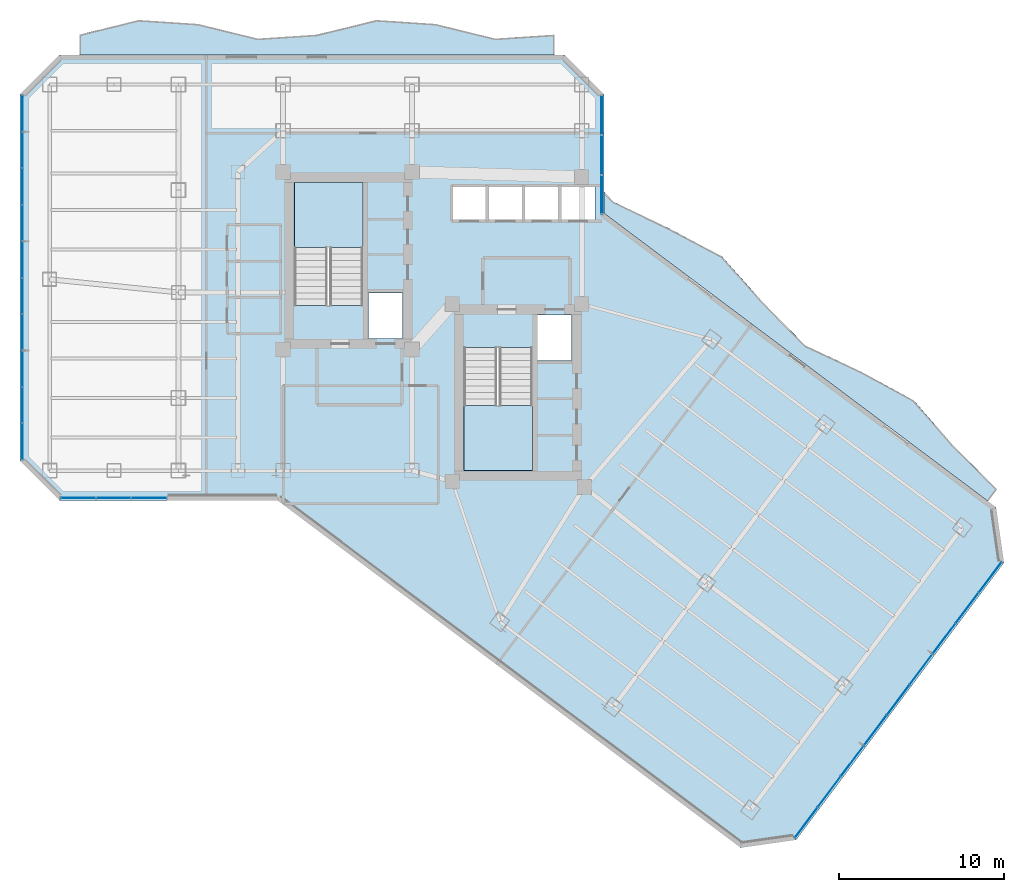
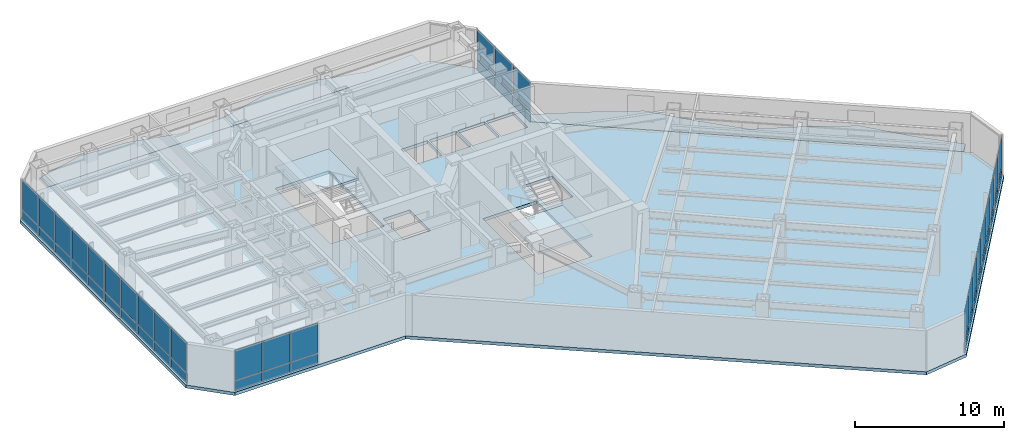
# One storey, part 20 of 29: 50 plates, 5 slabs, 6 elements without a shape of their own.
"""IFC4 building model written with IfcOpenShell, lengths in metres."""

from ifc_helpers import new_model, si_unit, direction, frame, origin, origin_2d, place, context, subcontext, project, spatial, polyline, rectangle, outline, extrude, material, layer, layer_set, type_object, element, aggregate, save


model = new_model("IFC4")

# Units and contexts
model_context = context("Model", 3, precision=1e-05, world=origin(), true_north=direction((0.0, 1.0)))
body_context = subcontext(model_context, "Body", "Model", "MODEL_VIEW")
ifc_project = project(units=[si_unit("LENGTHUNIT", "METRE"), si_unit("AREAUNIT", "SQUARE_METRE"), si_unit("VOLUMEUNIT", "CUBIC_METRE"), si_unit("PLANEANGLEUNIT", "RADIAN"), si_unit("MASSUNIT", "GRAM", prefix="KILO")], contexts=[model_context])

# Site, building, storey
site_placement = place(None, origin())
site = spatial("IfcSite", under=ifc_project, at=site_placement, CompositionType="ELEMENT")
building_placement = place(site_placement, origin())
building = spatial("IfcBuilding", under=site, at=building_placement, Name="Hatsunagi Terrace Concourse", CompositionType="ELEMENT")
storey_placement = place(building_placement, frame((0.0, 0.0, 115.64990234375)))
storey = spatial("IfcBuildingStorey", under=building, at=storey_placement, Name="L30", CompositionType="ELEMENT", Elevation=115.64990234375)

# Curtain wall, plates
ifc_material_1 = material(Name="Anodised Aluminium Alloy 6063-T5", Category="aluminium")
ifc_layer_1 = layer(ifc_material_1, 0.199951171875)
ifc_layer_set_1 = layer_set([ifc_layer_1], Name="OfficeZone1_CW03")
curtain_wall_type = type_object("IfcCurtainWallType", Name="OfficeZone1_CW03", PredefinedType="NOTDEFINED", material=ifc_layer_set_1)
curtain_wall_1_placement = place(storey_placement, origin())
curtain_wall_1 = element("IfcCurtainWall", 1, at=curtain_wall_1_placement, inside=storey, type_object=curtain_wall_type, Name="Unitised Curtain Wall CW-03 CW-L30-03", PredefinedType="NOTDEFINED")
ifc_material_2 = material(Name="Warm Terracotta Ceramic Spandrel Panel", Category="masonry")
ifc_layer_2 = layer(ifc_material_2, 0.031982421875)
ifc_layer_set_2 = layer_set([ifc_layer_2], Name="CurtainWallSpandrelPanel_32")
plate_type_1 = type_object("IfcPlateType", Name="CurtainWallSpandrelPanel_32", PredefinedType="SHEET", material=ifc_layer_set_2)
plate_1_placement = place(storey_placement, frame((68.39697265625, 18.72998046875, 0.030029296875), z_axis=(0.0, 0.0, 1.0), x_axis=(-0.599969314634, -0.800023013105, 0.0)))
plate_1 = element("IfcPlate", 2, at=plate_1_placement, type_object=plate_type_1, Name="Terracotta Spandrel Panel SPN-01", PredefinedType="SHEET", context=body_context, shape_type="SweptSolid", body=[
    extrude(rectangle(XDim=2.264892578125, YDim=0.031982421875, at=origin_2d()), origin(), (0.0, 0.0, 1.0), 0.7900390625),
])
plate_2_placement = place(storey_placement, frame((67.0048828125, 16.873046875, 0.030029296875), z_axis=(0.0, 0.0, 1.0), x_axis=(-0.599969314634, -0.800023013105, 0.0)))
plate_2 = element("IfcPlate", 3, at=plate_2_placement, type_object=plate_type_1, Name="Terracotta Spandrel Panel SPN-01", PredefinedType="SHEET", context=body_context, shape_type="SweptSolid", body=[
    extrude(rectangle(XDim=2.264892578125, YDim=0.031982421875, at=origin_2d()), origin(), (0.0, 0.0, 1.0), 0.7900390625),
])
plate_3_placement = place(storey_placement, frame((65.612060546875, 15.01708984375, 0.030029296875), z_axis=(0.0, 0.0, 1.0), x_axis=(-0.599969314634, -0.800023013105, 0.0)))
plate_3 = element("IfcPlate", 4, at=plate_3_placement, type_object=plate_type_1, Name="Terracotta Spandrel Panel SPN-01", PredefinedType="SHEET", context=body_context, shape_type="SweptSolid", body=[
    extrude(rectangle(XDim=2.264892578125, YDim=0.031982421875, at=origin_2d()), origin(), (0.0, 0.0, 1.0), 0.7900390625),
])
plate_4_placement = place(storey_placement, frame((64.219970703125, 13.159912109375, 0.030029296875), z_axis=(0.0, 0.0, 1.0), x_axis=(-0.599969314634, -0.800023013105, 0.0)))
plate_4 = element("IfcPlate", 5, at=plate_4_placement, type_object=plate_type_1, Name="Terracotta Spandrel Panel SPN-01", PredefinedType="SHEET", context=body_context, shape_type="SweptSolid", body=[
    extrude(rectangle(XDim=2.264892578125, YDim=0.031982421875, at=origin_2d()), origin(), (0.0, 0.0, 1.0), 0.7900390625),
])
plate_5_placement = place(storey_placement, frame((62.827880859375, 11.303955078125, 0.030029296875), z_axis=(0.0, 0.0, 1.0), x_axis=(-0.599969314634, -0.800023013105, 0.0)))
plate_5 = element("IfcPlate", 6, at=plate_5_placement, type_object=plate_type_1, Name="Terracotta Spandrel Panel SPN-01", PredefinedType="SHEET", context=body_context, shape_type="SweptSolid", body=[
    extrude(rectangle(XDim=2.264892578125, YDim=0.031982421875, at=origin_2d()), origin(), (0.0, 0.0, 1.0), 0.7900390625),
])
plate_6_placement = place(storey_placement, frame((61.43603515625, 9.447998046875, 0.030029296875), z_axis=(0.0, 0.0, 1.0), x_axis=(-0.599969314634, -0.800023013105, 0.0)))
plate_6 = element("IfcPlate", 7, at=plate_6_placement, type_object=plate_type_1, Name="Terracotta Spandrel Panel SPN-01", PredefinedType="SHEET", context=body_context, shape_type="SweptSolid", body=[
    extrude(rectangle(XDim=2.264892578125, YDim=0.031982421875, at=origin_2d()), origin(), (0.0, 0.0, 1.0), 0.7900390625),
])
plate_7_placement = place(storey_placement, frame((60.0439453125, 7.591064453125, 0.030029296875), z_axis=(0.0, 0.0, 1.0), x_axis=(-0.599969314634, -0.800023013105, 0.0)))
plate_7 = element("IfcPlate", 8, at=plate_7_placement, type_object=plate_type_1, Name="Terracotta Spandrel Panel SPN-01", PredefinedType="SHEET", context=body_context, shape_type="SweptSolid", body=[
    extrude(rectangle(XDim=2.264892578125, YDim=0.031982421875, at=origin_2d()), origin(), (0.0, 0.0, 1.0), 0.7900390625),
])
plate_8_placement = place(storey_placement, frame((58.65087890625, 5.735107421875, 0.030029296875), z_axis=(0.0, 0.0, 1.0), x_axis=(-0.599969314634, -0.800023013105, 0.0)))
plate_8 = element("IfcPlate", 9, at=plate_8_placement, type_object=plate_type_1, Name="Terracotta Spandrel Panel SPN-01", PredefinedType="SHEET", context=body_context, shape_type="SweptSolid", body=[
    extrude(rectangle(XDim=2.264892578125, YDim=0.031982421875, at=origin_2d()), origin(), (0.0, 0.0, 1.0), 0.7900390625),
])
plate_9_placement = place(storey_placement, frame((57.259033203125, 3.8779296875, 0.030029296875), z_axis=(0.0, 0.0, 1.0), x_axis=(-0.599969314634, -0.800023013105, 0.0)))
plate_9 = element("IfcPlate", 10, at=plate_9_placement, type_object=plate_type_1, Name="Terracotta Spandrel Panel SPN-01", PredefinedType="SHEET", context=body_context, shape_type="SweptSolid", body=[
    extrude(rectangle(XDim=2.264892578125, YDim=0.031982421875, at=origin_2d()), origin(), (0.0, 0.0, 1.0), 0.7900390625),
])

curtain_wall_2_placement = place(storey_placement, origin())
curtain_wall_2 = element("IfcCurtainWall", 11, at=curtain_wall_2_placement, inside=storey, type_object=curtain_wall_type, Name="Unitised Curtain Wall CW-03 CW-L30-07", PredefinedType="NOTDEFINED")
plate_10_placement = place(storey_placement, frame((17.426025390625, 23.5400390625, 0.030029296875), z_axis=(0.0, 0.0, 1.0), x_axis=(-1.0, 0.0, 0.0)))
plate_10 = element("IfcPlate", 12, at=plate_10_placement, type_object=plate_type_1, Name="Terracotta Spandrel Panel SPN-01", PredefinedType="SHEET", context=body_context, shape_type="SweptSolid", body=[
    extrude(rectangle(XDim=2.092041015625, YDim=0.031982421875, at=origin_2d()), origin(), (0.0, 0.0, 1.0), 0.7900390625),
])
plate_11_placement = place(storey_placement, frame((15.279052734375, 23.5400390625, 0.030029296875), z_axis=(0.0, 0.0, 1.0), x_axis=(-1.0, 0.0, 0.0)))
plate_11 = element("IfcPlate", 13, at=plate_11_placement, type_object=plate_type_1, Name="Terracotta Spandrel Panel SPN-01", PredefinedType="SHEET", context=body_context, shape_type="SweptSolid", body=[
    extrude(rectangle(XDim=2.092041015625, YDim=0.031982421875, at=origin_2d()), origin(), (0.0, 0.0, 1.0), 0.7900390625),
])
plate_12_placement = place(storey_placement, frame((13.132080078125, 23.5400390625, 0.030029296875), z_axis=(0.0, 0.0, 1.0), x_axis=(-1.0, 0.0, 0.0)))
plate_12 = element("IfcPlate", 14, at=plate_12_placement, type_object=plate_type_1, Name="Terracotta Spandrel Panel SPN-01", PredefinedType="SHEET", context=body_context, shape_type="SweptSolid", body=[
    extrude(rectangle(XDim=2.092041015625, YDim=0.031982421875, at=origin_2d()), origin(), (0.0, 0.0, 1.0), 0.7900390625),
])

curtain_wall_3_placement = place(storey_placement, origin())
curtain_wall_3 = element("IfcCurtainWall", 15, at=curtain_wall_3_placement, inside=storey, type_object=curtain_wall_type, Name="Unitised Curtain Wall CW-03 CW-L30-09", PredefinedType="NOTDEFINED")
plate_13_placement = place(storey_placement, frame((9.739990234375, 26.9619140625, 0.030029296875), z_axis=(0.0, 0.0, 1.0), x_axis=(0.0, 1.0, 0.0)))
plate_13 = element("IfcPlate", 16, at=plate_13_placement, type_object=plate_type_1, Name="Terracotta Spandrel Panel SPN-01", PredefinedType="SHEET", context=body_context, shape_type="SweptSolid", body=[
    extrude(rectangle(XDim=2.153076171875, YDim=0.031982421875, at=origin_2d()), origin(), (0.0, 0.0, 1.0), 0.7900390625),
])
plate_14_placement = place(storey_placement, frame((9.739990234375, 29.1708984375, 0.030029296875), z_axis=(0.0, 0.0, 1.0), x_axis=(0.0, 1.0, 0.0)))
plate_14 = element("IfcPlate", 17, at=plate_14_placement, type_object=plate_type_1, Name="Terracotta Spandrel Panel SPN-01", PredefinedType="SHEET", context=body_context, shape_type="SweptSolid", body=[
    extrude(rectangle(XDim=2.153076171875, YDim=0.031982421875, at=origin_2d()), origin(), (0.0, 0.0, 1.0), 0.7900390625),
])
plate_15_placement = place(storey_placement, frame((9.739990234375, 31.37890625, 0.030029296875), z_axis=(0.0, 0.0, 1.0), x_axis=(0.0, 1.0, 0.0)))
plate_15 = element("IfcPlate", 18, at=plate_15_placement, type_object=plate_type_1, Name="Terracotta Spandrel Panel SPN-01", PredefinedType="SHEET", context=body_context, shape_type="SweptSolid", body=[
    extrude(rectangle(XDim=2.153076171875, YDim=0.031982421875, at=origin_2d()), origin(), (0.0, 0.0, 1.0), 0.7900390625),
])
plate_16_placement = place(storey_placement, frame((9.739990234375, 33.5869140625, 0.030029296875), z_axis=(0.0, 0.0, 1.0), x_axis=(0.0, 1.0, 0.0)))
plate_16 = element("IfcPlate", 19, at=plate_16_placement, type_object=plate_type_1, Name="Terracotta Spandrel Panel SPN-01", PredefinedType="SHEET", context=body_context, shape_type="SweptSolid", body=[
    extrude(rectangle(XDim=2.153076171875, YDim=0.031982421875, at=origin_2d()), origin(), (0.0, 0.0, 1.0), 0.7900390625),
])
plate_17_placement = place(storey_placement, frame((9.739990234375, 35.7958984375, 0.030029296875), z_axis=(0.0, 0.0, 1.0), x_axis=(0.0, 1.0, 0.0)))
plate_17 = element("IfcPlate", 20, at=plate_17_placement, type_object=plate_type_1, Name="Terracotta Spandrel Panel SPN-01", PredefinedType="SHEET", context=body_context, shape_type="SweptSolid", body=[
    extrude(rectangle(XDim=2.153076171875, YDim=0.031982421875, at=origin_2d()), origin(), (0.0, 0.0, 1.0), 0.7900390625),
])
plate_18_placement = place(storey_placement, frame((9.739990234375, 38.00390625, 0.030029296875), z_axis=(0.0, 0.0, 1.0), x_axis=(0.0, 1.0, 0.0)))
plate_18 = element("IfcPlate", 21, at=plate_18_placement, type_object=plate_type_1, Name="Terracotta Spandrel Panel SPN-01", PredefinedType="SHEET", context=body_context, shape_type="SweptSolid", body=[
    extrude(rectangle(XDim=2.153076171875, YDim=0.031982421875, at=origin_2d()), origin(), (0.0, 0.0, 1.0), 0.7900390625),
])
plate_19_placement = place(storey_placement, frame((9.739990234375, 40.212890625, 0.030029296875), z_axis=(0.0, 0.0, 1.0), x_axis=(0.0, 1.0, 0.0)))
plate_19 = element("IfcPlate", 22, at=plate_19_placement, type_object=plate_type_1, Name="Terracotta Spandrel Panel SPN-01", PredefinedType="SHEET", context=body_context, shape_type="SweptSolid", body=[
    extrude(rectangle(XDim=2.153076171875, YDim=0.031982421875, at=origin_2d()), origin(), (0.0, 0.0, 1.0), 0.7900390625),
])
plate_20_placement = place(storey_placement, frame((9.739990234375, 42.4208984375, 0.030029296875), z_axis=(0.0, 0.0, 1.0), x_axis=(0.0, 1.0, 0.0)))
plate_20 = element("IfcPlate", 23, at=plate_20_placement, type_object=plate_type_1, Name="Terracotta Spandrel Panel SPN-01", PredefinedType="SHEET", context=body_context, shape_type="SweptSolid", body=[
    extrude(rectangle(XDim=2.153076171875, YDim=0.031982421875, at=origin_2d()), origin(), (0.0, 0.0, 1.0), 0.7900390625),
])
plate_21_placement = place(storey_placement, frame((9.739990234375, 44.62890625, 0.030029296875), z_axis=(0.0, 0.0, 1.0), x_axis=(0.0, 1.0, 0.0)))
plate_21 = element("IfcPlate", 24, at=plate_21_placement, type_object=plate_type_1, Name="Terracotta Spandrel Panel SPN-01", PredefinedType="SHEET", context=body_context, shape_type="SweptSolid", body=[
    extrude(rectangle(XDim=2.153076171875, YDim=0.031982421875, at=origin_2d()), origin(), (0.0, 0.0, 1.0), 0.7900390625),
])
plate_22_placement = place(storey_placement, frame((9.739990234375, 46.837890625, 0.030029296875), z_axis=(0.0, 0.0, 1.0), x_axis=(0.0, 1.0, 0.0)))
plate_22 = element("IfcPlate", 25, at=plate_22_placement, type_object=plate_type_1, Name="Terracotta Spandrel Panel SPN-01", PredefinedType="SHEET", context=body_context, shape_type="SweptSolid", body=[
    extrude(rectangle(XDim=2.153076171875, YDim=0.031982421875, at=origin_2d()), origin(), (0.0, 0.0, 1.0), 0.7900390625),
])

curtain_wall_4_placement = place(storey_placement, origin())
curtain_wall_4 = element("IfcCurtainWall", 26, at=curtain_wall_4_placement, inside=storey, type_object=curtain_wall_type, Name="Unitised Curtain Wall CW-03 CW-L30-13", PredefinedType="NOTDEFINED")
plate_23_placement = place(storey_placement, frame((44.860107421875, 46.739990234375, 0.030029296875), z_axis=(0.0, 0.0, 1.0), x_axis=(0.0, -1.0, 0.0)))
plate_23 = element("IfcPlate", 27, at=plate_23_placement, type_object=plate_type_1, Name="Terracotta Spandrel Panel SPN-01", PredefinedType="SHEET", context=body_context, shape_type="SweptSolid", body=[
    extrude(rectangle(XDim=2.34912109375, YDim=0.031982421875, at=origin_2d()), origin(), (0.0, 0.0, 1.0), 0.7900390625),
])
plate_24_placement = place(storey_placement, frame((44.860107421875, 44.3359375, 0.030029296875), z_axis=(0.0, 0.0, 1.0), x_axis=(0.0, -1.0, 0.0)))
plate_24 = element("IfcPlate", 28, at=plate_24_placement, type_object=plate_type_1, Name="Terracotta Spandrel Panel SPN-01", PredefinedType="SHEET", context=body_context, shape_type="SweptSolid", body=[
    extrude(rectangle(XDim=2.34912109375, YDim=0.031982421875, at=origin_2d()), origin(), (0.0, 0.0, 1.0), 0.7900390625),
])
plate_25_placement = place(storey_placement, frame((44.860107421875, 41.931884765625, 0.030029296875), z_axis=(0.0, 0.0, 1.0), x_axis=(0.0, -1.0, 0.0)))
plate_25 = element("IfcPlate", 29, at=plate_25_placement, type_object=plate_type_1, Name="Terracotta Spandrel Panel SPN-01", PredefinedType="SHEET", context=body_context, shape_type="SweptSolid", body=[
    extrude(rectangle(XDim=2.34912109375, YDim=0.031982421875, at=origin_2d()), origin(), (0.0, 0.0, 1.0), 0.7900390625),
])

# Plate
ifc_material_3 = material(Name="Low-E Double Insulating Glass 28mm", Category="glass")
ifc_layer_3 = layer(ifc_material_3, 0.028076171875)
ifc_layer_set_3 = layer_set([ifc_layer_3], Name="CurtainWallVisionGlass_28")
plate_type_2 = type_object("IfcPlateType", Name="CurtainWallVisionGlass_28", PredefinedType="CURTAIN_PANEL", material=ifc_layer_set_3)
plate_26_placement = place(storey_placement, frame((68.39697265625, 18.72998046875, 0.880126953125), z_axis=(0.0, 0.0, 1.0), x_axis=(-0.599969314634, -0.800023013105, 0.0)))
plate_26 = element("IfcPlate", 30, at=plate_26_placement, type_object=plate_type_2, Name="Low-E Vision Glass Panel GLZ-01", PredefinedType="CURTAIN_PANEL", context=body_context, shape_type="SweptSolid", body=[
    extrude(rectangle(XDim=2.264892578125, YDim=0.028076171875, at=origin_2d()), origin(), (0.0, 0.0, 1.0), 2.43994140625),
])

plate_27_placement = place(storey_placement, frame((67.0048828125, 16.873046875, 0.880126953125), z_axis=(0.0, 0.0, 1.0), x_axis=(-0.599969314634, -0.800023013105, 0.0)))
plate_27 = element("IfcPlate", 31, at=plate_27_placement, type_object=plate_type_2, Name="Low-E Vision Glass Panel GLZ-01", PredefinedType="CURTAIN_PANEL", context=body_context, shape_type="SweptSolid", body=[
    extrude(rectangle(XDim=2.264892578125, YDim=0.028076171875, at=origin_2d()), origin(), (0.0, 0.0, 1.0), 2.43994140625),
])

plate_28_placement = place(storey_placement, frame((65.612060546875, 15.01708984375, 0.880126953125), z_axis=(0.0, 0.0, 1.0), x_axis=(-0.599969314634, -0.800023013105, 0.0)))
plate_28 = element("IfcPlate", 32, at=plate_28_placement, type_object=plate_type_2, Name="Low-E Vision Glass Panel GLZ-01", PredefinedType="CURTAIN_PANEL", context=body_context, shape_type="SweptSolid", body=[
    extrude(rectangle(XDim=2.264892578125, YDim=0.028076171875, at=origin_2d()), origin(), (0.0, 0.0, 1.0), 2.43994140625),
])

plate_29_placement = place(storey_placement, frame((64.219970703125, 13.159912109375, 0.880126953125), z_axis=(0.0, 0.0, 1.0), x_axis=(-0.599969314634, -0.800023013105, 0.0)))
plate_29 = element("IfcPlate", 33, at=plate_29_placement, type_object=plate_type_2, Name="Low-E Vision Glass Panel GLZ-01", PredefinedType="CURTAIN_PANEL", context=body_context, shape_type="SweptSolid", body=[
    extrude(rectangle(XDim=2.264892578125, YDim=0.028076171875, at=origin_2d()), origin(), (0.0, 0.0, 1.0), 2.43994140625),
])

plate_30_placement = place(storey_placement, frame((62.827880859375, 11.303955078125, 0.880126953125), z_axis=(0.0, 0.0, 1.0), x_axis=(-0.599969314634, -0.800023013105, 0.0)))
plate_30 = element("IfcPlate", 34, at=plate_30_placement, type_object=plate_type_2, Name="Low-E Vision Glass Panel GLZ-01", PredefinedType="CURTAIN_PANEL", context=body_context, shape_type="SweptSolid", body=[
    extrude(rectangle(XDim=2.264892578125, YDim=0.028076171875, at=origin_2d()), origin(), (0.0, 0.0, 1.0), 2.43994140625),
])

plate_31_placement = place(storey_placement, frame((61.43603515625, 9.447998046875, 0.880126953125), z_axis=(0.0, 0.0, 1.0), x_axis=(-0.599969314634, -0.800023013105, 0.0)))
plate_31 = element("IfcPlate", 35, at=plate_31_placement, type_object=plate_type_2, Name="Low-E Vision Glass Panel GLZ-01", PredefinedType="CURTAIN_PANEL", context=body_context, shape_type="SweptSolid", body=[
    extrude(rectangle(XDim=2.264892578125, YDim=0.028076171875, at=origin_2d()), origin(), (0.0, 0.0, 1.0), 2.43994140625),
])

plate_32_placement = place(storey_placement, frame((60.0439453125, 7.591064453125, 0.880126953125), z_axis=(0.0, 0.0, 1.0), x_axis=(-0.599969314634, -0.800023013105, 0.0)))
plate_32 = element("IfcPlate", 36, at=plate_32_placement, type_object=plate_type_2, Name="Low-E Vision Glass Panel GLZ-01", PredefinedType="CURTAIN_PANEL", context=body_context, shape_type="SweptSolid", body=[
    extrude(rectangle(XDim=2.264892578125, YDim=0.028076171875, at=origin_2d()), origin(), (0.0, 0.0, 1.0), 2.43994140625),
])

plate_33_placement = place(storey_placement, frame((58.65087890625, 5.735107421875, 0.880126953125), z_axis=(0.0, 0.0, 1.0), x_axis=(-0.599969314634, -0.800023013105, 0.0)))
plate_33 = element("IfcPlate", 37, at=plate_33_placement, type_object=plate_type_2, Name="Low-E Vision Glass Panel GLZ-01", PredefinedType="CURTAIN_PANEL", context=body_context, shape_type="SweptSolid", body=[
    extrude(rectangle(XDim=2.264892578125, YDim=0.028076171875, at=origin_2d()), origin(), (0.0, 0.0, 1.0), 2.43994140625),
])

plate_34_placement = place(storey_placement, frame((57.259033203125, 3.8779296875, 0.880126953125), z_axis=(0.0, 0.0, 1.0), x_axis=(-0.599969314634, -0.800023013105, 0.0)))
plate_34 = element("IfcPlate", 38, at=plate_34_placement, type_object=plate_type_2, Name="Low-E Vision Glass Panel GLZ-01", PredefinedType="CURTAIN_PANEL", context=body_context, shape_type="SweptSolid", body=[
    extrude(rectangle(XDim=2.264892578125, YDim=0.028076171875, at=origin_2d()), origin(), (0.0, 0.0, 1.0), 2.43994140625),
])

aggregate(curtain_wall_1, [plate_1, plate_26, plate_2, plate_27, plate_3, plate_28, plate_4, plate_29, plate_5, plate_30, plate_6, plate_31, plate_7, plate_32, plate_8, plate_33, plate_9, plate_34])

plate_35_placement = place(storey_placement, frame((17.426025390625, 23.5400390625, 0.880126953125), z_axis=(0.0, 0.0, 1.0), x_axis=(-1.0, 0.0, 0.0)))
plate_35 = element("IfcPlate", 39, at=plate_35_placement, type_object=plate_type_2, Name="Low-E Vision Glass Panel GLZ-01", PredefinedType="CURTAIN_PANEL", context=body_context, shape_type="SweptSolid", body=[
    extrude(rectangle(XDim=2.092041015625, YDim=0.028076171875, at=origin_2d()), origin(), (0.0, 0.0, 1.0), 2.43994140625),
])

plate_36_placement = place(storey_placement, frame((15.279052734375, 23.5400390625, 0.880126953125), z_axis=(0.0, 0.0, 1.0), x_axis=(-1.0, 0.0, 0.0)))
plate_36 = element("IfcPlate", 40, at=plate_36_placement, type_object=plate_type_2, Name="Low-E Vision Glass Panel GLZ-01", PredefinedType="CURTAIN_PANEL", context=body_context, shape_type="SweptSolid", body=[
    extrude(rectangle(XDim=2.092041015625, YDim=0.028076171875, at=origin_2d()), origin(), (0.0, 0.0, 1.0), 2.43994140625),
])

plate_37_placement = place(storey_placement, frame((13.132080078125, 23.5400390625, 0.880126953125), z_axis=(0.0, 0.0, 1.0), x_axis=(-1.0, 0.0, 0.0)))
plate_37 = element("IfcPlate", 41, at=plate_37_placement, type_object=plate_type_2, Name="Low-E Vision Glass Panel GLZ-01", PredefinedType="CURTAIN_PANEL", context=body_context, shape_type="SweptSolid", body=[
    extrude(rectangle(XDim=2.092041015625, YDim=0.028076171875, at=origin_2d()), origin(), (0.0, 0.0, 1.0), 2.43994140625),
])

aggregate(curtain_wall_2, [plate_10, plate_35, plate_11, plate_36, plate_12, plate_37])

plate_38_placement = place(storey_placement, frame((9.739990234375, 26.9619140625, 0.880126953125), z_axis=(0.0, 0.0, 1.0), x_axis=(0.0, 1.0, 0.0)))
plate_38 = element("IfcPlate", 42, at=plate_38_placement, type_object=plate_type_2, Name="Low-E Vision Glass Panel GLZ-01", PredefinedType="CURTAIN_PANEL", context=body_context, shape_type="SweptSolid", body=[
    extrude(rectangle(XDim=2.153076171875, YDim=0.028076171875, at=origin_2d()), origin(), (0.0, 0.0, 1.0), 2.43994140625),
])

plate_39_placement = place(storey_placement, frame((9.739990234375, 29.1708984375, 0.880126953125), z_axis=(0.0, 0.0, 1.0), x_axis=(0.0, 1.0, 0.0)))
plate_39 = element("IfcPlate", 43, at=plate_39_placement, type_object=plate_type_2, Name="Low-E Vision Glass Panel GLZ-01", PredefinedType="CURTAIN_PANEL", context=body_context, shape_type="SweptSolid", body=[
    extrude(rectangle(XDim=2.153076171875, YDim=0.028076171875, at=origin_2d()), origin(), (0.0, 0.0, 1.0), 2.43994140625),
])

plate_40_placement = place(storey_placement, frame((9.739990234375, 31.37890625, 0.880126953125), z_axis=(0.0, 0.0, 1.0), x_axis=(0.0, 1.0, 0.0)))
plate_40 = element("IfcPlate", 44, at=plate_40_placement, type_object=plate_type_2, Name="Low-E Vision Glass Panel GLZ-01", PredefinedType="CURTAIN_PANEL", context=body_context, shape_type="SweptSolid", body=[
    extrude(rectangle(XDim=2.153076171875, YDim=0.028076171875, at=origin_2d()), origin(), (0.0, 0.0, 1.0), 2.43994140625),
])

plate_41_placement = place(storey_placement, frame((9.739990234375, 33.5869140625, 0.880126953125), z_axis=(0.0, 0.0, 1.0), x_axis=(0.0, 1.0, 0.0)))
plate_41 = element("IfcPlate", 45, at=plate_41_placement, type_object=plate_type_2, Name="Low-E Vision Glass Panel GLZ-01", PredefinedType="CURTAIN_PANEL", context=body_context, shape_type="SweptSolid", body=[
    extrude(rectangle(XDim=2.153076171875, YDim=0.028076171875, at=origin_2d()), origin(), (0.0, 0.0, 1.0), 2.43994140625),
])

plate_42_placement = place(storey_placement, frame((9.739990234375, 35.7958984375, 0.880126953125), z_axis=(0.0, 0.0, 1.0), x_axis=(0.0, 1.0, 0.0)))
plate_42 = element("IfcPlate", 46, at=plate_42_placement, type_object=plate_type_2, Name="Low-E Vision Glass Panel GLZ-01", PredefinedType="CURTAIN_PANEL", context=body_context, shape_type="SweptSolid", body=[
    extrude(rectangle(XDim=2.153076171875, YDim=0.028076171875, at=origin_2d()), origin(), (0.0, 0.0, 1.0), 2.43994140625),
])

plate_43_placement = place(storey_placement, frame((9.739990234375, 38.00390625, 0.880126953125), z_axis=(0.0, 0.0, 1.0), x_axis=(0.0, 1.0, 0.0)))
plate_43 = element("IfcPlate", 47, at=plate_43_placement, type_object=plate_type_2, Name="Low-E Vision Glass Panel GLZ-01", PredefinedType="CURTAIN_PANEL", context=body_context, shape_type="SweptSolid", body=[
    extrude(rectangle(XDim=2.153076171875, YDim=0.028076171875, at=origin_2d()), origin(), (0.0, 0.0, 1.0), 2.43994140625),
])

plate_44_placement = place(storey_placement, frame((9.739990234375, 40.212890625, 0.880126953125), z_axis=(0.0, 0.0, 1.0), x_axis=(0.0, 1.0, 0.0)))
plate_44 = element("IfcPlate", 48, at=plate_44_placement, type_object=plate_type_2, Name="Low-E Vision Glass Panel GLZ-01", PredefinedType="CURTAIN_PANEL", context=body_context, shape_type="SweptSolid", body=[
    extrude(rectangle(XDim=2.153076171875, YDim=0.028076171875, at=origin_2d()), origin(), (0.0, 0.0, 1.0), 2.43994140625),
])

plate_45_placement = place(storey_placement, frame((9.739990234375, 42.4208984375, 0.880126953125), z_axis=(0.0, 0.0, 1.0), x_axis=(0.0, 1.0, 0.0)))
plate_45 = element("IfcPlate", 49, at=plate_45_placement, type_object=plate_type_2, Name="Low-E Vision Glass Panel GLZ-01", PredefinedType="CURTAIN_PANEL", context=body_context, shape_type="SweptSolid", body=[
    extrude(rectangle(XDim=2.153076171875, YDim=0.028076171875, at=origin_2d()), origin(), (0.0, 0.0, 1.0), 2.43994140625),
])

plate_46_placement = place(storey_placement, frame((9.739990234375, 44.62890625, 0.880126953125), z_axis=(0.0, 0.0, 1.0), x_axis=(0.0, 1.0, 0.0)))
plate_46 = element("IfcPlate", 50, at=plate_46_placement, type_object=plate_type_2, Name="Low-E Vision Glass Panel GLZ-01", PredefinedType="CURTAIN_PANEL", context=body_context, shape_type="SweptSolid", body=[
    extrude(rectangle(XDim=2.153076171875, YDim=0.028076171875, at=origin_2d()), origin(), (0.0, 0.0, 1.0), 2.43994140625),
])

plate_47_placement = place(storey_placement, frame((9.739990234375, 46.837890625, 0.880126953125), z_axis=(0.0, 0.0, 1.0), x_axis=(0.0, 1.0, 0.0)))
plate_47 = element("IfcPlate", 51, at=plate_47_placement, type_object=plate_type_2, Name="Low-E Vision Glass Panel GLZ-01", PredefinedType="CURTAIN_PANEL", context=body_context, shape_type="SweptSolid", body=[
    extrude(rectangle(XDim=2.153076171875, YDim=0.028076171875, at=origin_2d()), origin(), (0.0, 0.0, 1.0), 2.43994140625),
])

aggregate(curtain_wall_3, [plate_13, plate_38, plate_14, plate_39, plate_15, plate_40, plate_16, plate_41, plate_17, plate_42, plate_18, plate_43, plate_19, plate_44, plate_20, plate_45, plate_21, plate_46, plate_22, plate_47])

plate_48_placement = place(storey_placement, frame((44.860107421875, 46.739990234375, 0.880126953125), z_axis=(0.0, 0.0, 1.0), x_axis=(0.0, -1.0, 0.0)))
plate_48 = element("IfcPlate", 52, at=plate_48_placement, type_object=plate_type_2, Name="Low-E Vision Glass Panel GLZ-01", PredefinedType="CURTAIN_PANEL", context=body_context, shape_type="SweptSolid", body=[
    extrude(rectangle(XDim=2.34912109375, YDim=0.028076171875, at=origin_2d()), origin(), (0.0, 0.0, 1.0), 2.43994140625),
])

plate_49_placement = place(storey_placement, frame((44.860107421875, 44.3359375, 0.880126953125), z_axis=(0.0, 0.0, 1.0), x_axis=(0.0, -1.0, 0.0)))
plate_49 = element("IfcPlate", 53, at=plate_49_placement, type_object=plate_type_2, Name="Low-E Vision Glass Panel GLZ-01", PredefinedType="CURTAIN_PANEL", context=body_context, shape_type="SweptSolid", body=[
    extrude(rectangle(XDim=2.34912109375, YDim=0.028076171875, at=origin_2d()), origin(), (0.0, 0.0, 1.0), 2.43994140625),
])

plate_50_placement = place(storey_placement, frame((44.860107421875, 41.931884765625, 0.880126953125), z_axis=(0.0, 0.0, 1.0), x_axis=(0.0, -1.0, 0.0)))
plate_50 = element("IfcPlate", 54, at=plate_50_placement, type_object=plate_type_2, Name="Low-E Vision Glass Panel GLZ-01", PredefinedType="CURTAIN_PANEL", context=body_context, shape_type="SweptSolid", body=[
    extrude(rectangle(XDim=2.34912109375, YDim=0.028076171875, at=origin_2d()), origin(), (0.0, 0.0, 1.0), 2.43994140625),
])

aggregate(curtain_wall_4, [plate_23, plate_48, plate_24, plate_49, plate_25, plate_50])

# Stair, slab
ifc_material_4 = material(Name="Concrete Fc42", Category="concrete")
stair_type = type_object("IfcStairType", Name="DoglegExitStair_Tower2000_20R_180", PredefinedType="HALF_TURN_STAIR", material=ifc_material_4)
stair_1_placement = place(storey_placement, origin())
stair_1 = element("IfcStair", 55, at=stair_1_placement, inside=storey, type_object=stair_type, Name="L30 Core A Protected Exit Stair ST-A", PredefinedType="HALF_TURN_STAIR")
ifc_material_5 = material(Name="Concrete Fc42", Category="concrete")
ifc_layer_4 = layer(ifc_material_5, 0.199951171875)
ifc_layer_set_4 = layer_set([ifc_layer_4], Name="DoglegStairLanding_Tower2000")
slab_type_1 = type_object("IfcSlabType", Name="DoglegStairLanding_Tower2000", PredefinedType="LANDING", material=ifc_layer_set_4)
slab_1_placement = place(storey_placement, frame((0.0, 0.0, 1.60009765625)))
slab_1 = element("IfcSlab", 56, at=slab_1_placement, type_object=slab_type_1, Name="ST-A landing 1", PredefinedType="LANDING", context=body_context, shape_type="SweptSolid", body=[
    extrude(outline(polyline([(30.3798828125, 38.7099609375), (30.3798828125, 42.659912109375), (26.22998046875, 42.659912109375), (26.22998046875, 38.7099609375), (30.3798828125, 38.7099609375)])), origin(), (0.0, 0.0, 1.0), 0.199951171875),
])
aggregate(stair_1, [slab_1])

stair_2_placement = place(storey_placement, origin())
stair_2 = element("IfcStair", 57, at=stair_2_placement, inside=storey, type_object=stair_type, Name="L30 Core B Protected Exit Stair ST-B", PredefinedType="HALF_TURN_STAIR")
slab_2_placement = place(storey_placement, frame((0.0, 0.0, 1.60009765625)))
slab_2 = element("IfcSlab", 58, at=slab_2_placement, type_object=slab_type_1, Name="ST-B landing 1", PredefinedType="LANDING", context=body_context, shape_type="SweptSolid", body=[
    extrude(outline(polyline([(36.5, 29.14990234375), (36.5, 25.199951171875), (40.64990234375, 25.199951171875), (40.64990234375, 29.14990234375), (36.5, 29.14990234375)])), origin(), (0.0, 0.0, 1.0), 0.199951171875),
])
aggregate(stair_2, [slab_2])

# Slabs
ifc_material_6 = material(Name="Concrete Fc42", Category="concrete")
ifc_layer_5 = layer(ifc_material_6, 0.199951171875)
ifc_layer_set_5 = layer_set([ifc_layer_5], Name="EngawaBalconySlab_Fc42_200")
slab_type_2 = type_object("IfcSlabType", Name="EngawaBalconySlab_Fc42_200", PredefinedType="FLOOR", material=ifc_layer_set_5)
slab_3_placement = place(storey_placement, frame((0.0, 0.0, -0.199951171875)))
element("IfcSlab", 59, at=slab_3_placement, inside=storey, type_object=slab_type_2, Name="Engawa Balcony Slab BAL-L30-BN", PredefinedType="FLOOR", context=body_context, shape_type="SweptSolid", body=[
    extrude(outline(polyline([(13.199951171875, 51.625), (13.199951171875, 50.39990234375), (42.0, 50.39990234375), (42.0, 51.625), (38.39990234375, 51.386962890625), (34.800048828125, 52.27490234375), (31.199951171875, 52.512939453125), (27.60009765625, 51.625), (24.0, 51.386962890625), (20.39990234375, 52.27490234375), (16.800048828125, 52.512939453125), (13.199951171875, 51.625)])), origin(), (0.0, 0.0, 1.0), 0.199951171875),
])
slab_4_placement = place(storey_placement, frame((0.0, 0.0, -0.199951171875)))
element("IfcSlab", 60, at=slab_4_placement, inside=storey, type_object=slab_type_2, Name="Engawa Balcony Slab BAL-L30-BSE", PredefinedType="FLOOR", context=body_context, shape_type="SweptSolid", body=[
    extrude(outline(polyline([(45.569091796875, 41.5029296875), (44.99609375, 42.097900390625), (44.99609375, 40.802978515625), (68.280029296875, 23.340087890625), (68.8291015625, 24.072021484375), (66.22412109375, 26.655029296875), (63.780029296875, 29.450927734375), (60.55810546875, 31.2099609375), (57.197998046875, 32.787109375), (54.6201171875, 35.405029296875), (52.156982421875, 38.176025390625), (48.908935546875, 39.89990234375), (45.569091796875, 41.5029296875)])), origin(), (0.0, 0.0, 1.0), 0.199951171875),
])
ifc_material_7 = material(Name="Concrete Fc42", Category="concrete")
ifc_layer_6 = layer(ifc_material_7, 0.25)
ifc_layer_set_6 = layer_set([ifc_layer_6], Name="OfficeCrownSlab_Fc42_250")
slab_type_3 = type_object("IfcSlabType", Name="OfficeCrownSlab_Fc42_250", PredefinedType="FLOOR", material=ifc_layer_set_6)
slab_5_placement = place(storey_placement, frame((0.0, 0.0, -0.25)))
element("IfcSlab", 61, at=slab_5_placement, inside=storey, type_object=slab_type_3, Name="Floor Slab SL-250 L30", PredefinedType="FLOOR", context=body_context, shape_type="SweptSolid", body=[
    extrude(outline(polyline([(45.0, 40.800048828125), (45.0, 48.0), (42.60009765625, 50.39990234375), (12.0, 50.39990234375), (9.60009765625, 48.0), (9.60009765625, 25.800048828125), (12.0, 23.39990234375), (25.199951171875, 23.39990234375), (53.280029296875, 2.340087890625), (56.639892578125, 2.820068359375), (69.239990234375, 19.6201171875), (68.760009765625, 22.97998046875), (45.0, 40.800048828125)]), holes=[polyline([(26.22998046875, 35.205078125), (30.3798828125, 35.205078125), (30.3798828125, 42.659912109375), (26.22998046875, 42.659912109375), (26.22998046875, 35.205078125)]), polyline([(36.5, 25.199951171875), (40.64990234375, 25.199951171875), (40.64990234375, 32.655029296875), (36.5, 32.655029296875), (36.5, 25.199951171875)]), polyline([(30.719970703125, 33.219970703125), (32.780029296875, 33.219970703125), (32.780029296875, 35.97998046875), (30.719970703125, 35.97998046875), (30.719970703125, 33.219970703125)]), polyline([(40.97998046875, 31.8798828125), (43.02001953125, 31.8798828125), (43.02001953125, 34.639892578125), (40.97998046875, 34.639892578125), (40.97998046875, 31.8798828125)]), polyline([(35.800048828125, 40.39990234375), (37.85009765625, 40.39990234375), (37.85009765625, 42.39990234375), (35.800048828125, 42.39990234375), (35.800048828125, 40.39990234375)]), polyline([(38.0, 40.39990234375), (40.050048828125, 40.39990234375), (40.050048828125, 42.39990234375), (38.0, 42.39990234375), (38.0, 40.39990234375)]), polyline([(40.199951171875, 40.39990234375), (42.25, 40.39990234375), (42.25, 42.39990234375), (40.199951171875, 42.39990234375), (40.199951171875, 40.39990234375)]), polyline([(42.39990234375, 40.39990234375), (44.449951171875, 40.39990234375), (44.449951171875, 42.39990234375), (42.39990234375, 42.39990234375), (42.39990234375, 40.39990234375)])]), origin(), (0.0, 0.0, 1.0), 0.25),
])

save(model, "model.ifc")
